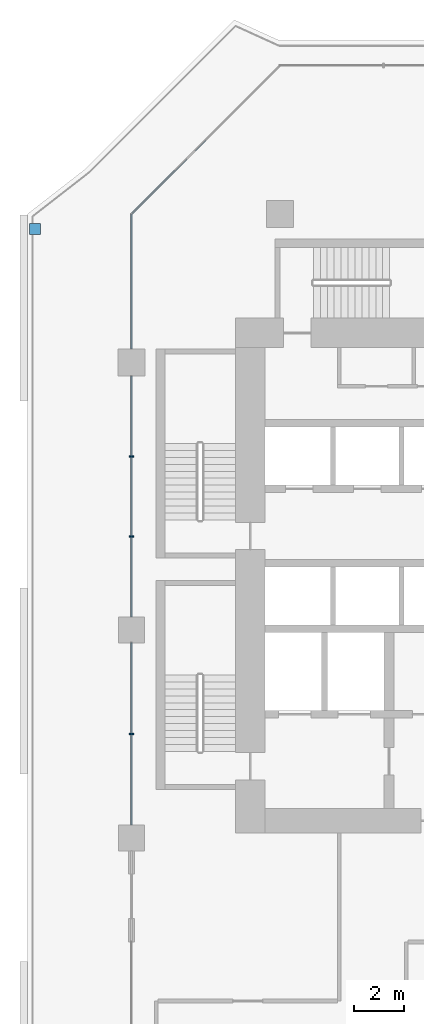
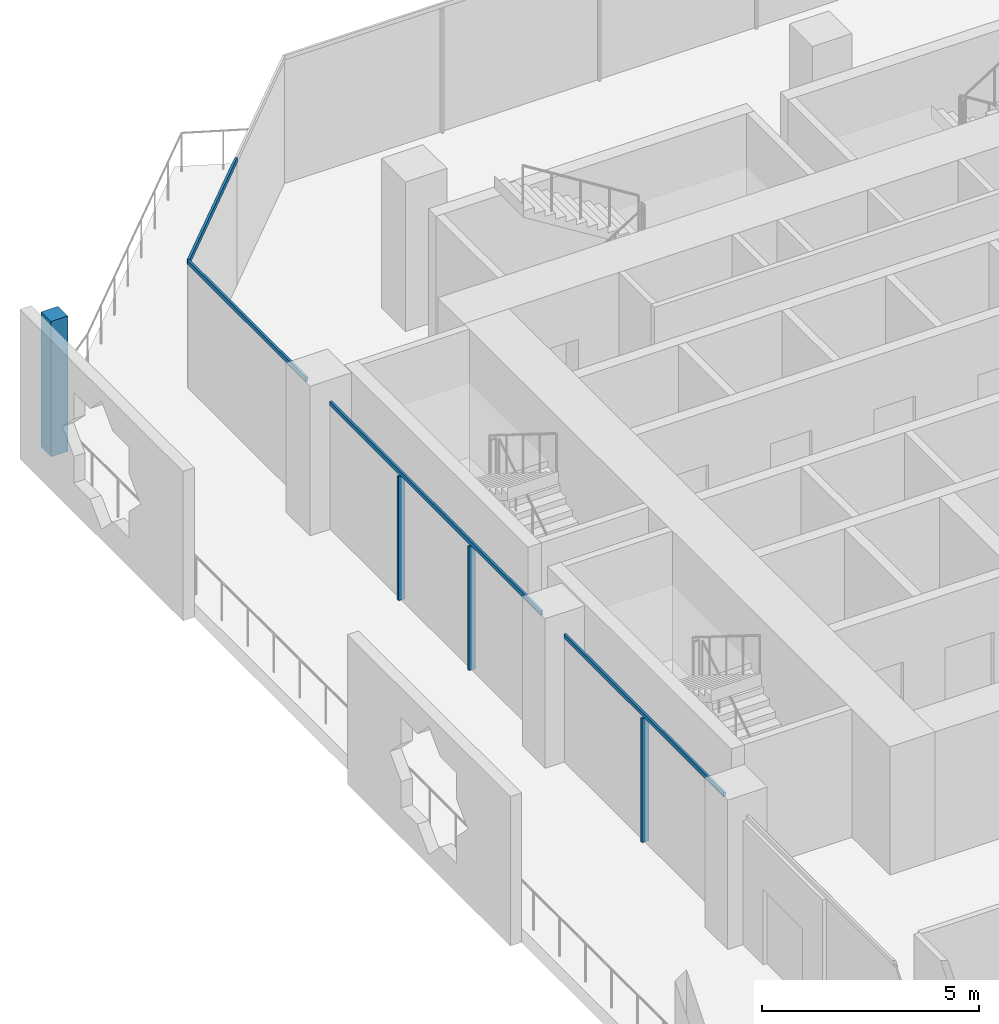
# One storey, part 5 of 25: 8 members, 3 elements without a shape of their own.
"""IFC4 building model written with IfcOpenShell, lengths in metres."""

from ifc_helpers import new_model, si_unit, direction, frame, origin, origin_2d, place, context, subcontext, project, spatial, rectangle, extrude, material, layer, layer_set, material_profile, profile_set, type_object, element, aggregate, save


model = new_model("IFC4")

# Units and contexts
model_context = context("Model", 3, precision=1e-05, world=origin(), true_north=direction((0.0, 1.0)))
body_context = subcontext(model_context, "Body", "Model", "MODEL_VIEW")
ifc_project = project(units=[si_unit("LENGTHUNIT", "METRE"), si_unit("AREAUNIT", "SQUARE_METRE"), si_unit("VOLUMEUNIT", "CUBIC_METRE"), si_unit("PLANEANGLEUNIT", "RADIAN"), si_unit("MASSUNIT", "GRAM", prefix="KILO")], contexts=[model_context])

# Site, building, storey
site_placement = place(None, origin())
site = spatial("IfcSite", under=ifc_project, at=site_placement, CompositionType="ELEMENT")
building_placement = place(site_placement, origin())
building = spatial("IfcBuilding", under=site, at=building_placement, Name="Kawkab Arch Medical Tower", CompositionType="ELEMENT")
storey_placement = place(building_placement, frame((0.0, 0.0, 111.39990234375)))
storey = spatial("IfcBuildingStorey", under=building, at=storey_placement, Name="L25", CompositionType="ELEMENT", Elevation=111.39990234375)

# Curtain wall, members
ifc_material_1 = material(Name="Bronze anodised aluminium curtain wall frame", Category="aluminium")
ifc_layer_1 = layer(ifc_material_1, 0.159912109375)
ifc_layer_set_1 = layer_set([ifc_layer_1], Name="Bronze anodised aluminium curtain wall frame")
curtain_wall_type_1 = type_object("IfcCurtainWallType", Name="CW1 ward curtain wall", PredefinedType="NOTDEFINED", material=ifc_layer_set_1)
placement = place(storey_placement, origin())
curtain_wall_1 = element("IfcCurtainWall", 1, at=placement, inside=storey, type_object=curtain_wall_type_1, Name="CW1 Ward curtain wall R01", PredefinedType="NOTDEFINED")
ifc_material_2 = material(Name="Bronze anodised aluminium curtain wall frame", Category="aluminium")
ifc_material_profile_1 = material_profile(ifc_material_2, rectangle(XDim=0.179931640625, YDim=0.06005859375, at=origin_2d()), Name="AL 60x180")
ifc_profile_set_1 = profile_set([ifc_material_profile_1], Name="Bronze anodised aluminium curtain wall frame")
member_type_1 = type_object("IfcMemberType", Name="CW1 mullion 60 x 180", PredefinedType="MULLION", material=ifc_profile_set_1)
member_1_placement = place(storey_placement, frame((0.0, -9.791748046875, 0.0), z_axis=(0.0, 0.0, 1.0), x_axis=(1.0, 0.0, 0.0)))
member_1 = element("IfcMember", 2, at=member_1_placement, type_object=member_type_1, Name="CW1 mullion 2.1", PredefinedType="MULLION", context=body_context, shape_type="SweptSolid", body=[
    extrude(rectangle(XDim=0.179931640625, YDim=0.06005859375, at=origin_2d()), origin(), (0.0, 0.0, 1.0), 3.47998046875),
])
member_2_placement = place(storey_placement, frame((0.0, -13.033447265625, 0.0), z_axis=(0.0, 0.0, 1.0), x_axis=(1.0, 0.0, 0.0)))
member_2 = element("IfcMember", 3, at=member_2_placement, type_object=member_type_1, Name="CW1 mullion 2.2", PredefinedType="MULLION", context=body_context, shape_type="SweptSolid", body=[
    extrude(rectangle(XDim=0.179931640625, YDim=0.06005859375, at=origin_2d()), origin(), (0.0, 0.0, 1.0), 3.47998046875),
])
member_3_placement = place(storey_placement, frame((0.0, -21.0, 0.0), z_axis=(0.0, 0.0, 1.0), x_axis=(1.0, 0.0, 0.0)))
member_3 = element("IfcMember", 4, at=member_3_placement, type_object=member_type_1, Name="CW1 mullion 3.1", PredefinedType="MULLION", context=body_context, shape_type="SweptSolid", body=[
    extrude(rectangle(XDim=0.179931640625, YDim=0.06005859375, at=origin_2d()), origin(), (0.0, 0.0, 1.0), 3.47998046875),
])
ifc_material_3 = material(Name="Bronze anodised aluminium curtain wall frame", Category="aluminium")
ifc_material_profile_2 = material_profile(ifc_material_3, rectangle(XDim=0.06005859375, YDim=0.1201171875, at=origin_2d()), Name="AL 60x120")
ifc_profile_set_2 = profile_set([ifc_material_profile_2], Name="Bronze anodised aluminium curtain wall frame")
member_type_2 = type_object("IfcMemberType", Name="CW1 transom 120 x 60", PredefinedType="USERDEFINED", material=ifc_profile_set_2)
member_4_placement = place(storey_placement, frame((0.0, 0.0, 3.5400390625), z_axis=(0.0, -1.0, 0.0), x_axis=(1.0, 0.0, 0.0)))
member_4 = element("IfcMember", 5, at=member_4_placement, type_object=member_type_2, Name="CW1 transom 1", ObjectType="TRANSOM", PredefinedType="USERDEFINED", context=body_context, shape_type="SweptSolid", body=[
    extrude(rectangle(XDim=0.06005859375, YDim=0.1201171875, at=origin_2d()), origin(), (0.0, 0.0, 1.0), 5.449951171875),
])
member_5_placement = place(storey_placement, frame((0.0, -6.550048828125, 3.5400390625), z_axis=(0.0, -1.0, 0.0), x_axis=(1.0, 0.0, 0.0)))
member_5 = element("IfcMember", 6, at=member_5_placement, type_object=member_type_2, Name="CW1 transom 2", ObjectType="TRANSOM", PredefinedType="USERDEFINED", context=body_context, shape_type="SweptSolid", body=[
    extrude(rectangle(XDim=0.06005859375, YDim=0.1201171875, at=origin_2d()), origin(), (0.0, 0.0, 1.0), 9.724853515625),
])
member_6_placement = place(storey_placement, frame((0.0, -17.324951171875, 3.5400390625), z_axis=(0.0, -1.0, 0.0), x_axis=(1.0, 0.0, 0.0)))
member_6 = element("IfcMember", 7, at=member_6_placement, type_object=member_type_2, Name="CW1 transom 3", ObjectType="TRANSOM", PredefinedType="USERDEFINED", context=body_context, shape_type="SweptSolid", body=[
    extrude(rectangle(XDim=0.06005859375, YDim=0.1201171875, at=origin_2d()), origin(), (0.0, 0.0, 1.0), 7.35009765625),
])
aggregate(curtain_wall_1, [member_4, member_5, member_1, member_2, member_6, member_3])

# Curtain wall, member
ifc_material_4 = material(Name="Bronze anodised aluminium curtain wall frame", Category="aluminium")
ifc_layer_2 = layer(ifc_material_4, 0.159912109375)
ifc_layer_set_2 = layer_set([ifc_layer_2], Name="Bronze anodised aluminium curtain wall frame")
curtain_wall_type_2 = type_object("IfcCurtainWallType", Name="CW2 chamfer curtain wall", PredefinedType="NOTDEFINED", material=ifc_layer_set_2)
curtain_wall_2 = element("IfcCurtainWall", 8, at=placement, inside=storey, type_object=curtain_wall_type_2, Name="CW2 Chamfer curtain wall R12", PredefinedType="NOTDEFINED")
ifc_material_5 = material(Name="Bronze anodised aluminium curtain wall frame", Category="aluminium")
ifc_material_profile_3 = material_profile(ifc_material_5, rectangle(XDim=0.06005859375, YDim=0.139892578125, at=origin_2d()), Name="AL 60x140")
ifc_profile_set_3 = profile_set([ifc_material_profile_3], Name="Bronze anodised aluminium curtain wall frame")
member_type_3 = type_object("IfcMemberType", Name="CW2 transom 140 x 60", PredefinedType="USERDEFINED", material=ifc_profile_set_3)
member_7_placement = place(storey_placement, frame((3.0, 3.0, 3.530029296875), z_axis=(-0.707106781187, -0.707106781187, 0.0), x_axis=(0.707106781187, -0.707106781187, 0.0)))
member_7 = element("IfcMember", 9, at=member_7_placement, type_object=member_type_3, Name="CW2 transom 2", ObjectType="TRANSOM", PredefinedType="USERDEFINED", context=body_context, shape_type="SweptSolid", body=[
    extrude(rectangle(XDim=0.06005859375, YDim=0.139892578125, at=origin_2d()), origin(), (0.0, 0.0, 1.0), 4.24267578125),
])
aggregate(curtain_wall_2, [member_7])

ifc_material_6 = material(Name="Bronze anodised aluminium climber frame, planted", Category="aluminium")
ifc_layer_3 = layer(ifc_material_6, 0.449951171875)
ifc_layer_set_3 = layer_set([ifc_layer_3], Name="Bronze anodised aluminium climber frame, planted")
curtain_wall_type_3 = type_object("IfcCurtainWallType", Name="Planted climber frame", PredefinedType="NOTDEFINED", material=ifc_layer_set_3)
curtain_wall_3 = element("IfcCurtainWall", 10, at=placement, inside=storey, type_object=curtain_wall_type_3, Name="Planted climber frame L25", PredefinedType="NOTDEFINED")
ifc_material_7 = material(Name="Bronze anodised aluminium climber frame, planted", Category="aluminium")
ifc_material_profile_4 = material_profile(ifc_material_7, rectangle(XDim=0.449951171875, YDim=0.449951171875, at=origin_2d()), Name="Post 450x450")
ifc_profile_set_4 = profile_set([ifc_material_profile_4], Name="Bronze anodised aluminium climber frame, planted")
member_type_4 = type_object("IfcMemberType", Name="Planted climber post 450 x 450", PredefinedType="MULLION", material=ifc_profile_set_4)
member_8_placement = place(storey_placement, frame((-3.89990234375, -0.596923828125, 0.0), z_axis=(0.0, 0.0, 1.0), x_axis=(1.0, 0.0, 0.0)))
member_8 = element("IfcMember", 11, at=member_8_placement, type_object=member_type_4, Name="Planted climber post L25.LOG-01-01.4", PredefinedType="MULLION", context=body_context, shape_type="SweptSolid", body=[
    extrude(rectangle(XDim=0.449951171875, YDim=0.449951171875, at=origin_2d()), origin(), (0.0, 0.0, 1.0), 3.800048828125),
])
aggregate(curtain_wall_3, [member_8])

save(model, "model.ifc")
